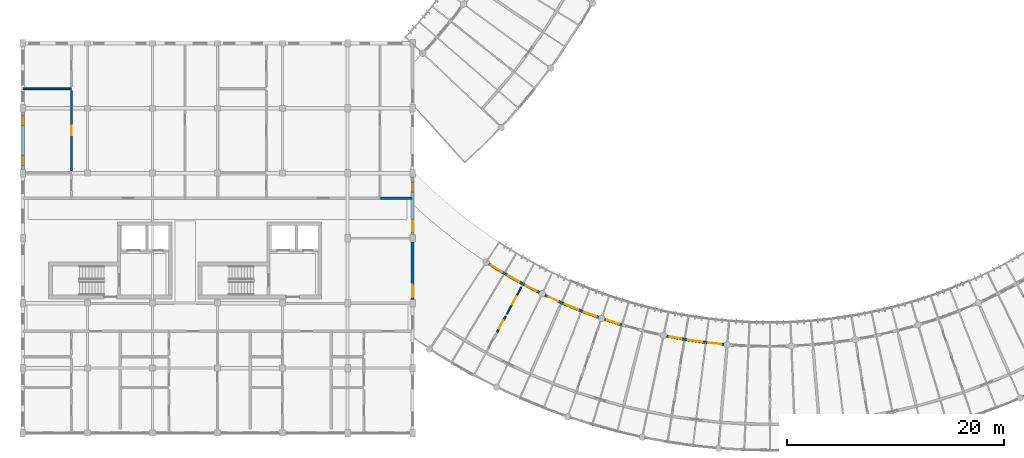
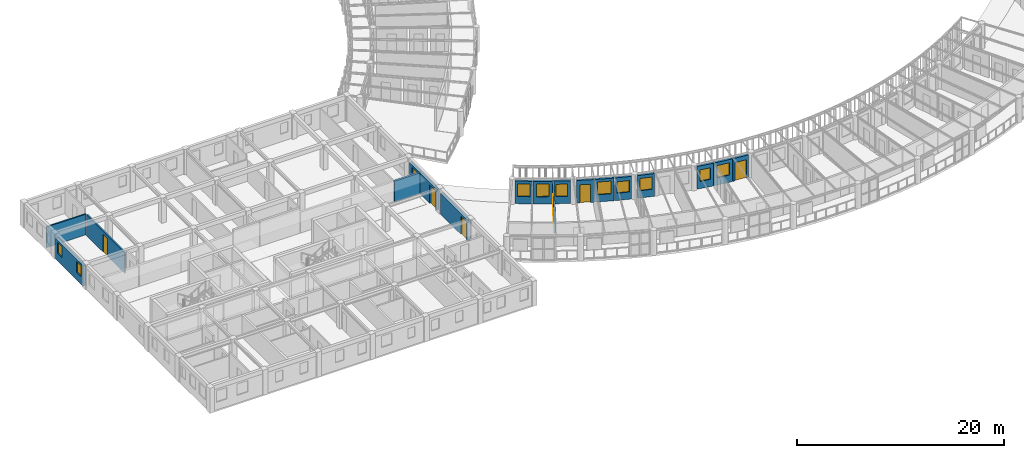
# One storey, part 58 of 101: 18 walls, 11 windows, 7 doors, 18 openings.
"""IFC4 building model written with IfcOpenShell, lengths in metres."""

from ifc_helpers import new_model, si_unit, direction, frame, frame_2d, origin, place, context, subcontext, project, spatial, rectangle, extrude, material, layer, layer_set, type_object, element, fill, save


model = new_model("IFC4")

# Units and contexts
model_context = context("Model", 3, precision=1e-05, world=origin(), true_north=direction((0.0, 1.0)))
body_context = subcontext(model_context, "Body", "Model", "MODEL_VIEW")
ifc_project = project(units=[si_unit("LENGTHUNIT", "METRE"), si_unit("AREAUNIT", "SQUARE_METRE"), si_unit("VOLUMEUNIT", "CUBIC_METRE"), si_unit("PLANEANGLEUNIT", "RADIAN"), si_unit("MASSUNIT", "GRAM", prefix="KILO"), si_unit("POWERUNIT", "WATT"), si_unit("THERMODYNAMICTEMPERATUREUNIT", "KELVIN")], contexts=[model_context])

# Site, building, storey
site_placement = place(None, origin())
site = spatial("IfcSite", under=ifc_project, at=site_placement, CompositionType="ELEMENT")
building_placement = place(site_placement, origin())
building = spatial("IfcBuilding", under=site, at=building_placement, Name="Ruvembo Vaulted Housing Court", CompositionType="ELEMENT")
storey_placement = place(building_placement, frame((0.0, 0.0, 17.300048828125)))
storey = spatial("IfcBuildingStorey", under=building, at=storey_placement, Name="L05", CompositionType="ELEMENT", Elevation=17.300048828125)

# Wall
ifc_material_1 = material(Name="Concrete Blockwork 210", Category="masonry")
ifc_layer_1 = layer(ifc_material_1, 0.2099609375, Name="Concrete Blockwork 210")
ifc_layer_set_1 = layer_set([ifc_layer_1], Name="Concrete Blockwork 210")
wall_type_1 = type_object("IfcWallType", Name="WL-CORR-210", PredefinedType="SOLIDWALL", material=ifc_layer_set_1)
wall_1_placement = place(storey_placement, frame((33.0400390625, 27.699951171875, 0.0), z_axis=(0.0, 0.0, 1.0), x_axis=(1.0, 0.0, 0.0)))
element("IfcWall", 1, at=wall_1_placement, inside=storey, type_object=wall_type_1, Name="L05 Flat A-L05-N2 Corridor Wall 2 WL-INT-L05-01430", PredefinedType="SOLIDWALL", context=body_context, shape_type="SweptSolid", body=[
    extrude(rectangle(XDim=2.919921875, YDim=0.2099609375, at=frame_2d((1.4599609375, 0.0))), origin(), (0.0, 0.0, 1.0), 2.447021484375),
])

# Wall, opening, window
ifc_material_2 = material(Name="Rendered Masonry 235", Category="masonry")
ifc_layer_2 = layer(ifc_material_2, 0.235107421875, Name="Rendered Masonry 235")
ifc_layer_set_2 = layer_set([ifc_layer_2], Name="Rendered Masonry 235")
wall_type_2 = type_object("IfcWallType", Name="WL-EXT-235", PredefinedType="STANDARD", material=ifc_layer_set_2)
wall_2_placement = place(storey_placement, frame((43.048095703125, 21.626708984375, 0.0), z_axis=(0.0, 0.0, 1.0), x_axis=(0.848955427013, -0.528464457598, 0.0)))
wall_2 = element("IfcWall", 2, at=wall_2_placement, inside=storey, type_object=wall_type_2, Name="Scoop SC2 L05 Concave Balcony Wall 0", PredefinedType="STANDARD", context=body_context, shape_type="SweptSolid", body=[
    extrude(rectangle(XDim=1.659912109375, YDim=0.235107421875, at=frame_2d((0.830078125, 0.0))), origin(), (0.0, 0.0, 1.0), 2.676025390625),
])
opening_1_placement = place(wall_2_placement, frame((0.22998046875, 0.0, 0.85009765625)))
opening_1 = element("IfcOpeningElement", 3, at=opening_1_placement, cuts=wall_2, Name="Opening W14", PredefinedType="OPENING", context=body_context, shape_type="SweptSolid", body=[
    extrude(rectangle(XDim=1.199951171875, YDim=1.5, at=frame_2d((0.60009765625, 0.75))), frame((0.0, 0.12744140625, 0.0), z_axis=(0.0, -1.0, 0.0), x_axis=(1.0, 0.0, 0.0)), (0.0, 0.0, 1.0), 0.255126953125),
])
ifc_material_3 = material(Name="Double Solar-Control Glazing in Aluminium Frame", Category="aluminium")
window_type_1 = type_object("IfcWindowType", Name="WIN-1200x1500", PartitioningType="SINGLE_PANEL", PredefinedType="WINDOW", material=ifc_material_3)
window_1_placement = place(opening_1_placement, origin())
window_1 = element("IfcWindow", 4, at=window_1_placement, inside=storey, type_object=window_type_1, Name="Scoop SC2 L05 Concave Window 0", OverallHeight=1.5, OverallWidth=1.199951171875, PartitioningType="SINGLE_PANEL", PredefinedType="WINDOW", context=body_context, shape_type="SweptSolid", body=[
    extrude(rectangle(XDim=1.199951171875, YDim=1.5, at=frame_2d((0.60009765625, 0.75))), frame((0.0, 0.030029296875, 0.0), z_axis=(0.0, -1.0, 0.0), x_axis=(1.0, 0.0, 0.0)), (0.0, 0.0, 1.0), 0.06005859375),
])
fill(opening_1, window_1)

wall_3_placement = place(storey_placement, frame((44.49169921875, 20.72900390625, 0.0), z_axis=(0.0, 0.0, 1.0), x_axis=(0.86993400964, -0.493168144623, 0.0)))
wall_3 = element("IfcWall", 5, at=wall_3_placement, inside=storey, type_object=wall_type_2, Name="Scoop SC2 L05 Concave Balcony Wall 1", PredefinedType="STANDARD", context=body_context, shape_type="SweptSolid", body=[
    extrude(rectangle(XDim=1.940185546875, YDim=0.235107421875, at=frame_2d((0.97021484375, 0.0))), origin(), (0.0, 0.0, 1.0), 2.676025390625),
])
opening_2_placement = place(wall_3_placement, frame((0.3701171875, 0.0, 0.85009765625)))
opening_2 = element("IfcOpeningElement", 6, at=opening_2_placement, cuts=wall_3, Name="Opening W14", PredefinedType="OPENING", context=body_context, shape_type="SweptSolid", body=[
    extrude(rectangle(XDim=1.199951171875, YDim=1.5, at=frame_2d((0.60009765625, 0.75))), frame((0.0, 0.12744140625, 0.0), z_axis=(0.0, -1.0, 0.0), x_axis=(1.0, 0.0, 0.0)), (0.0, 0.0, 1.0), 0.255126953125),
])
window_2_placement = place(opening_2_placement, origin())
window_2 = element("IfcWindow", 7, at=window_2_placement, inside=storey, type_object=window_type_1, Name="Scoop SC2 L05 Concave Window 1", OverallHeight=1.5, OverallWidth=1.199951171875, PartitioningType="SINGLE_PANEL", PredefinedType="WINDOW", context=body_context, shape_type="SweptSolid", body=[
    extrude(rectangle(XDim=1.199951171875, YDim=1.5, at=frame_2d((0.60009765625, 0.75))), frame((0.0, 0.030029296875, 0.0), z_axis=(0.0, -1.0, 0.0), x_axis=(1.0, 0.0, 0.0)), (0.0, 0.0, 1.0), 0.06005859375),
])
fill(opening_2, window_2)

wall_4_placement = place(storey_placement, frame((46.214599609375, 19.75341796875, 0.0), z_axis=(0.0, 0.0, 1.0), x_axis=(0.889521792954, -0.456892744372, 0.0)))
wall_4 = element("IfcWall", 8, at=wall_4_placement, inside=storey, type_object=wall_type_2, Name="Scoop SC2 L05 Concave Balcony Wall 2", PredefinedType="STANDARD", context=body_context, shape_type="SweptSolid", body=[
    extrude(rectangle(XDim=1.66015625, YDim=0.235107421875, at=frame_2d((0.830078125, 0.0))), origin(), (0.0, 0.0, 1.0), 2.676025390625),
])
opening_3_placement = place(wall_4_placement, frame((0.280029296875, 0.0, 0.85009765625)))
opening_3 = element("IfcOpeningElement", 9, at=opening_3_placement, cuts=wall_4, Name="Opening W10", PredefinedType="OPENING", context=body_context, shape_type="SweptSolid", body=[
    extrude(rectangle(XDim=1.10009765625, YDim=1.449951171875, at=frame_2d((0.550048828125, 0.72509765625))), frame((0.0, 0.12744140625, 0.0), z_axis=(0.0, -1.0, 0.0), x_axis=(1.0, 0.0, 0.0)), (0.0, 0.0, 1.0), 0.255126953125),
])
window_type_2 = type_object("IfcWindowType", Name="WIN-1100x1450", PartitioningType="SINGLE_PANEL", PredefinedType="WINDOW", material=ifc_material_3)
window_3_placement = place(opening_3_placement, origin())
window_3 = element("IfcWindow", 10, at=window_3_placement, inside=storey, type_object=window_type_2, Name="Scoop SC2 L05 Concave Window 2", OverallHeight=1.449951171875, OverallWidth=1.10009765625, PartitioningType="SINGLE_PANEL", PredefinedType="WINDOW", context=body_context, shape_type="SweptSolid", body=[
    extrude(rectangle(XDim=1.10009765625, YDim=1.449951171875, at=frame_2d((0.550048828125, 0.72509765625))), frame((0.0, 0.030029296875, 0.0), z_axis=(0.0, -1.0, 0.0), x_axis=(1.0, 0.0, 0.0)), (0.0, 0.0, 1.0), 0.06005859375),
])
fill(opening_3, window_3)

# Wall, opening, door
wall_5_placement = place(storey_placement, frame((48.23046875, 18.73193359375, 0.0), z_axis=(0.0, 0.0, 1.0), x_axis=(0.907631944022, -0.419766904592, 0.0)))
wall_5 = element("IfcWall", 11, at=wall_5_placement, inside=storey, type_object=wall_type_2, Name="Scoop SC2 L05 Concave Balcony Wall 3", PredefinedType="STANDARD", context=body_context, shape_type="SweptSolid", body=[
    extrude(rectangle(XDim=1.659912109375, YDim=0.235107421875, at=frame_2d((0.830078125, 0.0))), origin(), (0.0, 0.0, 1.0), 2.676025390625),
])
opening_4_placement = place(wall_5_placement, frame((0.330078125, 0.0, 0.0)))
opening_4 = element("IfcOpeningElement", 12, at=opening_4_placement, cuts=wall_5, Name="Opening BD1", PredefinedType="OPENING", context=body_context, shape_type="SweptSolid", body=[
    extrude(rectangle(XDim=1.0, YDim=2.14990234375, at=frame_2d((0.5, 1.074951171875))), frame((0.0, 0.12744140625, 0.0), z_axis=(0.0, -1.0, 0.0), x_axis=(1.0, 0.0, 0.0)), (0.0, 0.0, 1.0), 0.255126953125),
])
ifc_material_4 = material(Name="Thermally Broken Glazed Aluminium", Category="aluminium")
door_type_1 = type_object("IfcDoorType", Name="DR-BAL-1000x2150", OperationType="NOTDEFINED", PredefinedType="DOOR", material=ifc_material_4)
door_1_placement = place(opening_4_placement, origin())
door_1 = element("IfcDoor", 13, at=door_1_placement, inside=storey, type_object=door_type_1, Name="Scoop SC2 L05 Balcony Door 3", OperationType="SINGLE_SWING_RIGHT", OverallHeight=2.14990234375, OverallWidth=1.0, PredefinedType="DOOR", context=body_context, shape_type="SweptSolid", body=[
    extrude(rectangle(XDim=1.0, YDim=2.14990234375, at=frame_2d((0.5, 1.074951171875))), frame((0.0, 0.02490234375, 0.0), z_axis=(0.0, -1.0, 0.0), x_axis=(1.0, 0.0, 0.0)), (0.0, 0.0, 1.0), 0.050048828125),
])
fill(opening_4, door_1)

# Wall, opening, window
wall_6_placement = place(storey_placement, frame((49.773681640625, 18.019287109375, 0.0), z_axis=(0.0, 0.0, 1.0), x_axis=(0.92414555515, -0.382040564465, 0.0)))
wall_6 = element("IfcWall", 14, at=wall_6_placement, inside=storey, type_object=wall_type_2, Name="Scoop SC2 L05 Concave Balcony Wall 4", PredefinedType="STANDARD", context=body_context, shape_type="SweptSolid", body=[
    extrude(rectangle(XDim=1.940185546875, YDim=0.235107421875, at=frame_2d((0.97021484375, 0.0))), origin(), (0.0, 0.0, 1.0), 2.676025390625),
])
opening_5_placement = place(wall_6_placement, frame((0.294921875, 0.0, 0.85009765625)))
opening_5 = element("IfcOpeningElement", 15, at=opening_5_placement, cuts=wall_6, Name="Opening W16", PredefinedType="OPENING", context=body_context, shape_type="SweptSolid", body=[
    extrude(rectangle(XDim=1.35009765625, YDim=1.5, at=frame_2d((0.675048828125, 0.75))), frame((0.0, 0.12744140625, 0.0), z_axis=(0.0, -1.0, 0.0), x_axis=(1.0, 0.0, 0.0)), (0.0, 0.0, 1.0), 0.255126953125),
])
window_type_3 = type_object("IfcWindowType", Name="WIN-1350x1500", PartitioningType="SINGLE_PANEL", PredefinedType="WINDOW", material=ifc_material_3)
window_4_placement = place(opening_5_placement, origin())
window_4 = element("IfcWindow", 16, at=window_4_placement, inside=storey, type_object=window_type_3, Name="Scoop SC2 L05 Concave Window 4", OverallHeight=1.5, OverallWidth=1.35009765625, PartitioningType="SINGLE_PANEL", PredefinedType="WINDOW", context=body_context, shape_type="SweptSolid", body=[
    extrude(rectangle(XDim=1.35009765625, YDim=1.5, at=frame_2d((0.675048828125, 0.75))), frame((0.0, 0.030029296875, 0.0), z_axis=(0.0, -1.0, 0.0), x_axis=(1.0, 0.0, 0.0)), (0.0, 0.0, 1.0), 0.06005859375),
])
fill(opening_5, window_4)

wall_7_placement = place(storey_placement, frame((51.60400390625, 17.263671875, 0.0), z_axis=(0.0, 0.0, 1.0), x_axis=(0.939139054149, -0.343537242482, 0.0)))
wall_7 = element("IfcWall", 17, at=wall_7_placement, inside=storey, type_object=wall_type_2, Name="Scoop SC2 L05 Concave Balcony Wall 5", PredefinedType="STANDARD", context=body_context, shape_type="SweptSolid", body=[
    extrude(rectangle(XDim=1.66015625, YDim=0.235107421875, at=frame_2d((0.830078125, 0.0))), origin(), (0.0, 0.0, 1.0), 2.676025390625),
])
opening_6_placement = place(wall_7_placement, frame((0.22998046875, 0.0, 0.85009765625)))
opening_6 = element("IfcOpeningElement", 18, at=opening_6_placement, cuts=wall_7, Name="Opening W12", PredefinedType="OPENING", context=body_context, shape_type="SweptSolid", body=[
    extrude(rectangle(XDim=1.199951171875, YDim=1.35009765625, at=frame_2d((0.60009765625, 0.675048828125))), frame((0.0, 0.12744140625, 0.0), z_axis=(0.0, -1.0, 0.0), x_axis=(1.0, 0.0, 0.0)), (0.0, 0.0, 1.0), 0.255126953125),
])
window_type_4 = type_object("IfcWindowType", Name="WIN-1200x1350", PartitioningType="SINGLE_PANEL", PredefinedType="WINDOW", material=ifc_material_3)
window_5_placement = place(opening_6_placement, origin())
window_5 = element("IfcWindow", 19, at=window_5_placement, inside=storey, type_object=window_type_4, Name="Scoop SC2 L05 Concave Window 5", OverallHeight=1.35009765625, OverallWidth=1.199951171875, PartitioningType="SINGLE_PANEL", PredefinedType="WINDOW", context=body_context, shape_type="SweptSolid", body=[
    extrude(rectangle(XDim=1.199951171875, YDim=1.35009765625, at=frame_2d((0.60009765625, 0.675048828125))), frame((0.0, 0.030029296875, 0.0), z_axis=(0.0, -1.0, 0.0), x_axis=(1.0, 0.0, 0.0)), (0.0, 0.0, 1.0), 0.06005859375),
])
fill(opening_6, window_5)

wall_8_placement = place(storey_placement, frame((53.730712890625, 16.4990234375, 0.0), z_axis=(0.0, 0.0, 1.0), x_axis=(0.952523149859, -0.304466170508, 0.0)))
wall_8 = element("IfcWall", 20, at=wall_8_placement, inside=storey, type_object=wall_type_2, Name="Scoop SC2 L05 Concave Balcony Wall 6", PredefinedType="STANDARD", context=body_context, shape_type="SweptSolid", body=[
    extrude(rectangle(XDim=1.659912109375, YDim=0.235107421875, at=frame_2d((0.830078125, 0.0))), origin(), (0.0, 0.0, 1.0), 2.676025390625),
])
opening_7_placement = place(wall_8_placement, frame((0.22998046875, 0.0, 0.85009765625)))
opening_7 = element("IfcOpeningElement", 21, at=opening_7_placement, cuts=wall_8, Name="Opening W13", PredefinedType="OPENING", context=body_context, shape_type="SweptSolid", body=[
    extrude(rectangle(XDim=1.199951171875, YDim=1.449951171875, at=frame_2d((0.60009765625, 0.72509765625))), frame((0.0, 0.12744140625, 0.0), z_axis=(0.0, -1.0, 0.0), x_axis=(1.0, 0.0, 0.0)), (0.0, 0.0, 1.0), 0.255126953125),
])
window_type_5 = type_object("IfcWindowType", Name="WIN-1200x1450", PartitioningType="SINGLE_PANEL", PredefinedType="WINDOW", material=ifc_material_3)
window_6_placement = place(opening_7_placement, origin())
window_6 = element("IfcWindow", 22, at=window_6_placement, inside=storey, type_object=window_type_5, Name="Scoop SC2 L05 Concave Window 6", OverallHeight=1.449951171875, OverallWidth=1.199951171875, PartitioningType="SINGLE_PANEL", PredefinedType="WINDOW", context=body_context, shape_type="SweptSolid", body=[
    extrude(rectangle(XDim=1.199951171875, YDim=1.449951171875, at=frame_2d((0.60009765625, 0.72509765625))), frame((0.0, 0.030029296875, 0.0), z_axis=(0.0, -1.0, 0.0), x_axis=(1.0, 0.0, 0.0)), (0.0, 0.0, 1.0), 0.06005859375),
])
fill(opening_7, window_6)

wall_9_placement = place(storey_placement, frame((59.464111328125, 14.962158203125, 0.0), z_axis=(0.0, 0.0, 1.0), x_axis=(0.982820537681, -0.184563784945, 0.0)))
wall_9 = element("IfcWall", 23, at=wall_9_placement, inside=storey, type_object=wall_type_2, Name="Scoop SC2 L05 Concave Balcony Wall 9", PredefinedType="STANDARD", context=body_context, shape_type="SweptSolid", body=[
    extrude(rectangle(XDim=1.66015625, YDim=0.235107421875, at=frame_2d((0.830078125, 0.0))), origin(), (0.0, 0.0, 1.0), 2.676025390625),
])
opening_8_placement = place(wall_9_placement, frame((0.304931640625, 0.0, 0.85009765625)))
opening_8 = element("IfcOpeningElement", 24, at=opening_8_placement, cuts=wall_9, Name="Opening W09", PredefinedType="OPENING", context=body_context, shape_type="SweptSolid", body=[
    extrude(rectangle(XDim=1.050048828125, YDim=1.35009765625, at=frame_2d((0.52490234375, 0.675048828125))), frame((0.0, 0.12744140625, 0.0), z_axis=(0.0, -1.0, 0.0), x_axis=(1.0, 0.0, 0.0)), (0.0, 0.0, 1.0), 0.255126953125),
])
window_type_6 = type_object("IfcWindowType", Name="WIN-1050x1350", PartitioningType="SINGLE_PANEL", PredefinedType="WINDOW", material=ifc_material_3)
window_7_placement = place(opening_8_placement, origin())
window_7 = element("IfcWindow", 25, at=window_7_placement, inside=storey, type_object=window_type_6, Name="Scoop SC2 L05 Concave Window 9", OverallHeight=1.35009765625, OverallWidth=1.050048828125, PartitioningType="SINGLE_PANEL", PredefinedType="WINDOW", context=body_context, shape_type="SweptSolid", body=[
    extrude(rectangle(XDim=1.050048828125, YDim=1.35009765625, at=frame_2d((0.52490234375, 0.675048828125))), frame((0.0, 0.030029296875, 0.0), z_axis=(0.0, -1.0, 0.0), x_axis=(1.0, 0.0, 0.0)), (0.0, 0.0, 1.0), 0.06005859375),
])
fill(opening_8, window_7)

wall_10_placement = place(storey_placement, frame((61.135009765625, 14.649169921875, 0.0), z_axis=(0.0, 0.0, 1.0), x_axis=(0.989601751146, -0.14383453733, 0.0)))
wall_10 = element("IfcWall", 26, at=wall_10_placement, inside=storey, type_object=wall_type_2, Name="Scoop SC2 L05 Concave Balcony Wall 10", PredefinedType="STANDARD", context=body_context, shape_type="SweptSolid", body=[
    extrude(rectangle(XDim=1.940185546875, YDim=0.235107421875, at=frame_2d((0.97021484375, 0.0))), origin(), (0.0, 0.0, 1.0), 2.676025390625),
])
opening_9_placement = place(wall_10_placement, frame((0.320068359375, 0.0, 0.85009765625)))
opening_9 = element("IfcOpeningElement", 27, at=opening_9_placement, cuts=wall_10, Name="Opening W15", PredefinedType="OPENING", context=body_context, shape_type="SweptSolid", body=[
    extrude(rectangle(XDim=1.300048828125, YDim=1.449951171875, at=frame_2d((0.64990234375, 0.72509765625))), frame((0.0, 0.12744140625, 0.0), z_axis=(0.0, -1.0, 0.0), x_axis=(1.0, 0.0, 0.0)), (0.0, 0.0, 1.0), 0.255126953125),
])
window_type_7 = type_object("IfcWindowType", Name="WIN-1300x1450", PartitioningType="SINGLE_PANEL", PredefinedType="WINDOW", material=ifc_material_3)
window_8_placement = place(opening_9_placement, origin())
window_8 = element("IfcWindow", 28, at=window_8_placement, inside=storey, type_object=window_type_7, Name="Scoop SC2 L05 Concave Window 10", OverallHeight=1.449951171875, OverallWidth=1.300048828125, PartitioningType="SINGLE_PANEL", PredefinedType="WINDOW", context=body_context, shape_type="SweptSolid", body=[
    extrude(rectangle(XDim=1.300048828125, YDim=1.449951171875, at=frame_2d((0.64990234375, 0.72509765625))), frame((0.0, 0.030029296875, 0.0), z_axis=(0.0, -1.0, 0.0), x_axis=(1.0, 0.0, 0.0)), (0.0, 0.0, 1.0), 0.06005859375),
])
fill(opening_9, window_8)

# Wall, opening, door
wall_11_placement = place(storey_placement, frame((63.094482421875, 14.364990234375, 0.0), z_axis=(0.0, 0.0, 1.0), x_axis=(0.994687640844, -0.102939288674, 0.0)))
wall_11 = element("IfcWall", 29, at=wall_11_placement, inside=storey, type_object=wall_type_2, Name="Scoop SC2 L05 Concave Balcony Wall 11", PredefinedType="STANDARD", context=body_context, shape_type="SweptSolid", body=[
    extrude(rectangle(XDim=1.66015625, YDim=0.235107421875, at=frame_2d((0.830078125, 0.0))), origin(), (0.0, 0.0, 1.0), 2.676025390625),
])
opening_10_placement = place(wall_11_placement, frame((0.22998046875, 0.0, 0.0)))
opening_10 = element("IfcOpeningElement", 30, at=opening_10_placement, cuts=wall_11, Name="Opening BD2", PredefinedType="OPENING", context=body_context, shape_type="SweptSolid", body=[
    extrude(rectangle(XDim=1.199951171875, YDim=2.14990234375, at=frame_2d((0.60009765625, 1.074951171875))), frame((0.0, 0.12744140625, 0.0), z_axis=(0.0, -1.0, 0.0), x_axis=(1.0, 0.0, 0.0)), (0.0, 0.0, 1.0), 0.255126953125),
])
door_type_2 = type_object("IfcDoorType", Name="DR-BAL-1200x2150", OperationType="NOTDEFINED", PredefinedType="DOOR", material=ifc_material_4)
door_2_placement = place(opening_10_placement, origin())
door_2 = element("IfcDoor", 31, at=door_2_placement, inside=storey, type_object=door_type_2, Name="Scoop SC2 L05 Balcony Door 11", OperationType="SINGLE_SWING_RIGHT", OverallHeight=2.14990234375, OverallWidth=1.199951171875, PredefinedType="DOOR", context=body_context, shape_type="SweptSolid", body=[
    extrude(rectangle(XDim=1.199951171875, YDim=2.14990234375, at=frame_2d((0.60009765625, 1.074951171875))), frame((0.0, 0.02490234375, 0.0), z_axis=(0.0, -1.0, 0.0), x_axis=(1.0, 0.0, 0.0)), (0.0, 0.0, 1.0), 0.050048828125),
])
fill(opening_10, door_2)

ifc_material_5 = material(Name="Rendered Masonry 285", Category="masonry")
ifc_layer_3 = layer(ifc_material_5, 0.284912109375, Name="Rendered Masonry 285")
ifc_layer_set_3 = layer_set([ifc_layer_3], Name="Rendered Masonry 285")
wall_type_3 = type_object("IfcWallType", Name="WL-EXT-285", PredefinedType="STANDARD", material=ifc_layer_set_3)
wall_12_placement = place(storey_placement, frame((36.0, 18.35009765625, 0.0), z_axis=(0.0, 0.0, 1.0), x_axis=(0.0, 1.0, 0.0)))
wall_12 = element("IfcWall", 32, at=wall_12_placement, inside=storey, type_object=wall_type_3, Name="Block A L05 Exterior Wall EAST #3", PredefinedType="STANDARD", context=body_context, shape_type="SweptSolid", body=[
    extrude(rectangle(XDim=5.2998046875, YDim=0.284912109375, at=frame_2d((2.64990234375, 0.0))), origin(), (0.0, 0.0, 1.0), 2.447021484375),
])
opening_11_placement = place(wall_12_placement, frame((0.199951171875, 0.0, 0.0)))
opening_11 = element("IfcOpeningElement", 33, at=opening_11_placement, cuts=wall_12, Name="Opening GD1", PredefinedType="OPENING", context=body_context, shape_type="SweptSolid", body=[
    extrude(rectangle(XDim=1.14990234375, YDim=2.14990234375, at=frame_2d((0.574951171875, 1.074951171875))), frame((0.0, 0.15234375, 0.0), z_axis=(0.0, -1.0, 0.0), x_axis=(1.0, 0.0, 0.0)), (0.0, 0.0, 1.0), 0.304931640625),
])
door_type_3 = type_object("IfcDoorType", Name="DR-GAL-1150x2150", OperationType="NOTDEFINED", PredefinedType="DOOR", material=ifc_material_4)
door_3_placement = place(opening_11_placement, frame((1.14990234375, 0.0, 0.0), z_axis=(0.0, 0.0, 1.0), x_axis=(-1.0, 0.0, 0.0)))
door_3 = element("IfcDoor", 34, at=door_3_placement, inside=storey, type_object=door_type_3, Name="Block A L05 Terrace or Gallery Door DR-TER-A-L05-020", OperationType="SINGLE_SWING_LEFT", OverallHeight=2.14990234375, OverallWidth=1.14990234375, PredefinedType="DOOR", context=body_context, shape_type="SweptSolid", body=[
    extrude(rectangle(XDim=1.14990234375, YDim=2.14990234375, at=frame_2d((0.574951171875, 1.074951171875))), frame((0.0, 0.02490234375, 0.0), z_axis=(0.0, -1.0, 0.0), x_axis=(1.0, 0.0, 0.0)), (0.0, 0.0, 1.0), 0.050048828125),
])
fill(opening_11, door_3)

# Wall, openings, door, window
wall_13_placement = place(storey_placement, frame((36.0, 24.35009765625, 0.0), z_axis=(0.0, 0.0, 1.0), x_axis=(0.0, 1.0, 0.0)))
wall_13 = element("IfcWall", 35, at=wall_13_placement, inside=storey, type_object=wall_type_3, Name="Block A L05 Exterior Wall EAST #4", PredefinedType="STANDARD", context=body_context, shape_type="SweptSolid", body=[
    extrude(rectangle(XDim=5.2998046875, YDim=0.284912109375, at=frame_2d((2.64990234375, 0.0))), origin(), (0.0, 0.0, 1.0), 2.447021484375),
])
opening_12_placement = place(wall_13_placement, frame((0.199951171875, 0.0, 0.0)))
opening_12 = element("IfcOpeningElement", 36, at=opening_12_placement, cuts=wall_13, Name="Opening GD1", PredefinedType="OPENING", context=body_context, shape_type="SweptSolid", body=[
    extrude(rectangle(XDim=1.14990234375, YDim=2.14990234375, at=frame_2d((0.574951171875, 1.074951171875))), frame((0.0, 0.15234375, 0.0), z_axis=(0.0, -1.0, 0.0), x_axis=(1.0, 0.0, 0.0)), (0.0, 0.0, 1.0), 0.304931640625),
])
opening_13_placement = place(wall_13_placement, frame((3.89501953125, 0.0, 0.89990234375)))
opening_13 = element("IfcOpeningElement", 37, at=opening_13_placement, cuts=wall_13, Name="Opening W04", PredefinedType="OPENING", context=body_context, shape_type="SweptSolid", body=[
    extrude(rectangle(XDim=0.89990234375, YDim=1.300048828125, at=frame_2d((0.449951171875, 0.64990234375))), frame((0.0, 0.15234375, 0.0), z_axis=(0.0, -1.0, 0.0), x_axis=(1.0, 0.0, 0.0)), (0.0, 0.0, 1.0), 0.304931640625),
])
door_4_placement = place(opening_12_placement, frame((1.14990234375, 0.0, 0.0), z_axis=(0.0, 0.0, 1.0), x_axis=(-1.0, 0.0, 0.0)))
door_4 = element("IfcDoor", 38, at=door_4_placement, inside=storey, type_object=door_type_3, Name="Block A L05 Terrace or Gallery Door DR-TER-A-L05-021", OperationType="SINGLE_SWING_RIGHT", OverallHeight=2.14990234375, OverallWidth=1.14990234375, PredefinedType="DOOR", context=body_context, shape_type="SweptSolid", body=[
    extrude(rectangle(XDim=1.14990234375, YDim=2.14990234375, at=frame_2d((0.574951171875, 1.074951171875))), frame((0.0, 0.02490234375, 0.0), z_axis=(0.0, -1.0, 0.0), x_axis=(1.0, 0.0, 0.0)), (0.0, 0.0, 1.0), 0.050048828125),
])
fill(opening_12, door_4)
window_type_8 = type_object("IfcWindowType", Name="WIN-0900x1300", PartitioningType="SINGLE_PANEL", PredefinedType="WINDOW", material=ifc_material_3)
window_9_placement = place(opening_13_placement, origin())
window_9 = element("IfcWindow", 39, at=window_9_placement, inside=storey, type_object=window_type_8, Name="Block A L05 Window #224", OverallHeight=1.300048828125, OverallWidth=0.89990234375, PartitioningType="SINGLE_PANEL", PredefinedType="WINDOW", context=body_context, shape_type="SweptSolid", body=[
    extrude(rectangle(XDim=0.89990234375, YDim=1.300048828125, at=frame_2d((0.449951171875, 0.64990234375))), frame((0.0, 0.030029296875, 0.0), z_axis=(0.0, -1.0, 0.0), x_axis=(1.0, 0.0, 0.0)), (0.0, 0.0, 1.0), 0.06005859375),
])
fill(opening_13, window_9)

# Wall, openings, windows
wall_14_placement = place(storey_placement, frame((0.0, 35.64990234375, 0.0), z_axis=(0.0, 0.0, 1.0), x_axis=(0.0, -1.0, 0.0)))
wall_14 = element("IfcWall", 40, at=wall_14_placement, inside=storey, type_object=wall_type_3, Name="Block A L05 Exterior Wall WEST #2", PredefinedType="STANDARD", context=body_context, shape_type="SweptSolid", body=[
    extrude(rectangle(XDim=5.2998046875, YDim=0.284912109375, at=frame_2d((2.64990234375, 0.0))), origin(), (0.0, 0.0, 1.0), 2.447021484375),
])
opening_14_placement = place(wall_14_placement, frame((0.35009765625, 0.0, 0.89990234375)))
opening_14 = element("IfcOpeningElement", 41, at=opening_14_placement, cuts=wall_14, Name="Opening W04", PredefinedType="OPENING", context=body_context, shape_type="SweptSolid", body=[
    extrude(rectangle(XDim=0.89990234375, YDim=1.300048828125, at=frame_2d((0.449951171875, 0.64990234375))), frame((0.0, 0.15234375, 0.0), z_axis=(0.0, -1.0, 0.0), x_axis=(1.0, 0.0, 0.0)), (0.0, 0.0, 1.0), 0.304931640625),
])
opening_15_placement = place(wall_14_placement, frame((4.050048828125, 0.0, 0.89990234375)))
opening_15 = element("IfcOpeningElement", 42, at=opening_15_placement, cuts=wall_14, Name="Opening W04", PredefinedType="OPENING", context=body_context, shape_type="SweptSolid", body=[
    extrude(rectangle(XDim=0.89990234375, YDim=1.300048828125, at=frame_2d((0.449951171875, 0.64990234375))), frame((0.0, 0.15234375, 0.0), z_axis=(0.0, -1.0, 0.0), x_axis=(1.0, 0.0, 0.0)), (0.0, 0.0, 1.0), 0.304931640625),
])
window_10_placement = place(opening_14_placement, origin())
window_10 = element("IfcWindow", 43, at=window_10_placement, inside=storey, type_object=window_type_8, Name="Block A L05 Window #242", OverallHeight=1.300048828125, OverallWidth=0.89990234375, PartitioningType="SINGLE_PANEL", PredefinedType="WINDOW", context=body_context, shape_type="SweptSolid", body=[
    extrude(rectangle(XDim=0.89990234375, YDim=1.300048828125, at=frame_2d((0.449951171875, 0.64990234375))), frame((0.0, 0.030029296875, 0.0), z_axis=(0.0, -1.0, 0.0), x_axis=(1.0, 0.0, 0.0)), (0.0, 0.0, 1.0), 0.06005859375),
])
fill(opening_14, window_10)
window_11_placement = place(opening_15_placement, origin())
window_11 = element("IfcWindow", 44, at=window_11_placement, inside=storey, type_object=window_type_8, Name="Block A L05 Window #243", OverallHeight=1.300048828125, OverallWidth=0.89990234375, PartitioningType="SINGLE_PANEL", PredefinedType="WINDOW", context=body_context, shape_type="SweptSolid", body=[
    extrude(rectangle(XDim=0.89990234375, YDim=1.300048828125, at=frame_2d((0.449951171875, 0.64990234375))), frame((0.0, 0.030029296875, 0.0), z_axis=(0.0, -1.0, 0.0), x_axis=(1.0, 0.0, 0.0)), (0.0, 0.0, 1.0), 0.06005859375),
])
fill(opening_15, window_11)

# Wall, opening, door
ifc_material_6 = material(Name="Plasterboard Stud Partition 125", Category="gypsum")
ifc_layer_4 = layer(ifc_material_6, 0.125, Name="Plasterboard Stud Partition 125")
ifc_layer_set_4 = layer_set([ifc_layer_4], Name="Plasterboard Stud Partition 125")
wall_type_4 = type_object("IfcWallType", Name="WL-PART-125", PredefinedType="PARTITIONING", material=ifc_layer_set_4)
wall_15_placement = place(storey_placement, frame((46.041015625, 19.473876953125, 0.0), z_axis=(0.0, 0.0, 1.0), x_axis=(-0.475103009949, -0.879930184695, 0.0)))
wall_15 = element("IfcWall", 45, at=wall_15_placement, inside=storey, type_object=wall_type_4, Name="L05 Suite SC2-L05-U1 Bedroom WL-INT-L05-01609", PredefinedType="PARTITIONING", context=body_context, shape_type="SweptSolid", body=[
    extrude(rectangle(XDim=2.800048828125, YDim=0.125, at=frame_2d((1.39990234375, 0.0))), origin(), (0.0, 0.0, 1.0), 2.7138671875),
])
opening_16_placement = place(wall_15_placement, frame((0.949951171875, 0.0, 0.0)))
opening_16 = element("IfcOpeningElement", 46, at=opening_16_placement, cuts=wall_15, Name="Opening ID1", PredefinedType="OPENING", context=body_context, shape_type="SweptSolid", body=[
    extrude(rectangle(XDim=0.89990234375, YDim=2.10009765625, at=frame_2d((0.449951171875, 1.050048828125))), frame((0.0, 0.072509765625, 0.0), z_axis=(0.0, -1.0, 0.0), x_axis=(1.0, 0.0, 0.0)), (0.0, 0.0, 1.0), 0.14501953125),
])
ifc_material_7 = material(Name="FSC Hardwood and Engineered Timber", Category="wood")
door_type_4 = type_object("IfcDoorType", Name="DR-ROOM-0900x2100", OperationType="NOTDEFINED", PredefinedType="DOOR", material=ifc_material_7)
door_5_placement = place(opening_16_placement, origin())
door_5 = element("IfcDoor", 47, at=door_5_placement, inside=storey, type_object=door_type_4, Name="L05 Suite SC2-L05-U1 Bedroom Door DR-INT-L05-00904", OperationType="SINGLE_SWING_RIGHT", OverallHeight=2.10009765625, OverallWidth=0.89990234375, PredefinedType="DOOR", context=body_context, shape_type="SweptSolid", body=[
    extrude(rectangle(XDim=0.89990234375, YDim=2.10009765625, at=frame_2d((0.449951171875, 1.050048828125))), frame((0.0, 0.02490234375, 0.0), z_axis=(0.0, -1.0, 0.0), x_axis=(1.0, 0.0, 0.0)), (0.0, 0.0, 1.0), 0.050048828125),
])
fill(opening_16, door_5)

# Wall
ifc_material_8 = material(Name="Moisture-Resistant Wet Partition 150", Category="gypsum")
ifc_layer_5 = layer(ifc_material_8, 0.14990234375, Name="Moisture-Resistant Wet Partition 150")
ifc_layer_set_5 = layer_set([ifc_layer_5], Name="Moisture-Resistant Wet Partition 150")
wall_type_5 = type_object("IfcWallType", Name="WL-PART-150", PredefinedType="PARTITIONING", material=ifc_layer_set_5)
wall_16_placement = place(storey_placement, frame((0.0400390625, 37.800048828125, 0.0), z_axis=(0.0, 0.0, 1.0), x_axis=(1.0, 0.0, 0.0)))
element("IfcWall", 48, at=wall_16_placement, inside=storey, type_object=wall_type_5, Name="L05 Flat A-L05-N1 Wet Wall 1 WL-INT-L05-01419", PredefinedType="PARTITIONING", context=body_context, shape_type="SweptSolid", body=[
    extrude(rectangle(XDim=4.419921875, YDim=0.14990234375, at=frame_2d((2.2099609375, 0.0))), origin(), (0.0, 0.0, 1.0), 2.447021484375),
])

# Wall, opening, door
ifc_material_9 = material(Name="Acoustic Service Chase Wall 160", Category="gypsum")
ifc_layer_6 = layer(ifc_material_9, 0.159912109375, Name="Acoustic Service Chase Wall 160")
ifc_layer_set_6 = layer_set([ifc_layer_6], Name="Acoustic Service Chase Wall 160")
wall_type_6 = type_object("IfcWallType", Name="WL-PLUMB-160", PredefinedType="PLUMBINGWALL", material=ifc_layer_set_6)
wall_17_placement = place(storey_placement, frame((4.5, 30.239990234375, 0.0), z_axis=(0.0, 0.0, 1.0), x_axis=(0.0, 1.0, 0.0)))
wall_17 = element("IfcWall", 49, at=wall_17_placement, inside=storey, type_object=wall_type_6, Name="L05 Flat A-L05-N1 Kitchen WL-INT-L05-01417", PredefinedType="PLUMBINGWALL", context=body_context, shape_type="SweptSolid", body=[
    extrude(rectangle(XDim=7.3701171875, YDim=0.159912109375, at=frame_2d((3.68505859375, 0.0))), origin(), (0.0, 0.0, 1.0), 2.447021484375),
])
opening_17_placement = place(wall_17_placement, frame((3.2451171875, 0.0, 0.0)))
opening_17 = element("IfcOpeningElement", 50, at=opening_17_placement, cuts=wall_17, Name="Opening ID3", PredefinedType="OPENING", context=body_context, shape_type="SweptSolid", body=[
    extrude(rectangle(XDim=0.8798828125, YDim=2.10009765625, at=frame_2d((0.43994140625, 1.050048828125))), frame((0.0, 0.08984375, 0.0), z_axis=(0.0, -1.0, 0.0), x_axis=(1.0, 0.0, 0.0)), (0.0, 0.0, 1.0), 0.179931640625),
])
door_type_5 = type_object("IfcDoorType", Name="DR-ROOM-0880x2100", OperationType="NOTDEFINED", PredefinedType="DOOR", material=ifc_material_7)
door_6_placement = place(opening_17_placement, origin())
door_6 = element("IfcDoor", 51, at=door_6_placement, inside=storey, type_object=door_type_5, Name="L05 Flat A-L05-N1 Kitchen Door DR-INT-L05-00799", OperationType="SINGLE_SWING_LEFT", OverallHeight=2.10009765625, OverallWidth=0.8798828125, PredefinedType="DOOR", context=body_context, shape_type="SweptSolid", body=[
    extrude(rectangle(XDim=0.8798828125, YDim=2.10009765625, at=frame_2d((0.43994140625, 1.050048828125))), frame((0.0, 0.02490234375, 0.0), z_axis=(0.0, -1.0, 0.0), x_axis=(1.0, 0.0, 0.0)), (0.0, 0.0, 1.0), 0.050048828125),
])
fill(opening_17, door_6)

wall_18_placement = place(storey_placement, frame((44.58154296875, 16.7705078125, 0.0), z_axis=(0.0, 0.0, 1.0), x_axis=(-0.475080097018, -0.879942555749, 0.0)))
wall_18 = element("IfcWall", 52, at=wall_18_placement, inside=storey, type_object=wall_type_6, Name="L05 Suite SC2-L05-U1 Kitchen WL-INT-L05-01610", PredefinedType="PLUMBINGWALL", context=body_context, shape_type="SweptSolid", body=[
    extrude(rectangle(XDim=1.64794921875, YDim=0.159912109375, at=frame_2d((0.823974609375, 0.0))), origin(), (0.0, 0.0, 1.0), 2.7138671875),
])
opening_18_placement = place(wall_18_placement, frame((0.384033203125, 0.0, 0.0)))
opening_18 = element("IfcOpeningElement", 53, at=opening_18_placement, cuts=wall_18, Name="Opening ID3", PredefinedType="OPENING", context=body_context, shape_type="SweptSolid", body=[
    extrude(rectangle(XDim=0.8798828125, YDim=2.10009765625, at=frame_2d((0.43994140625, 1.050048828125))), frame((0.0, 0.08984375, 0.0), z_axis=(0.0, -1.0, 0.0), x_axis=(1.0, 0.0, 0.0)), (0.0, 0.0, 1.0), 0.179931640625),
])
door_7_placement = place(opening_18_placement, origin())
door_7 = element("IfcDoor", 54, at=door_7_placement, inside=storey, type_object=door_type_5, Name="L05 Suite SC2-L05-U1 Kitchen Door DR-INT-L05-00905", OperationType="SINGLE_SWING_LEFT", OverallHeight=2.10009765625, OverallWidth=0.8798828125, PredefinedType="DOOR", context=body_context, shape_type="SweptSolid", body=[
    extrude(rectangle(XDim=0.8798828125, YDim=2.10009765625, at=frame_2d((0.43994140625, 1.050048828125))), frame((0.0, 0.02490234375, 0.0), z_axis=(0.0, -1.0, 0.0), x_axis=(1.0, 0.0, 0.0)), (0.0, 0.0, 1.0), 0.050048828125),
])
fill(opening_18, door_7)

save(model, "model.ifc")
